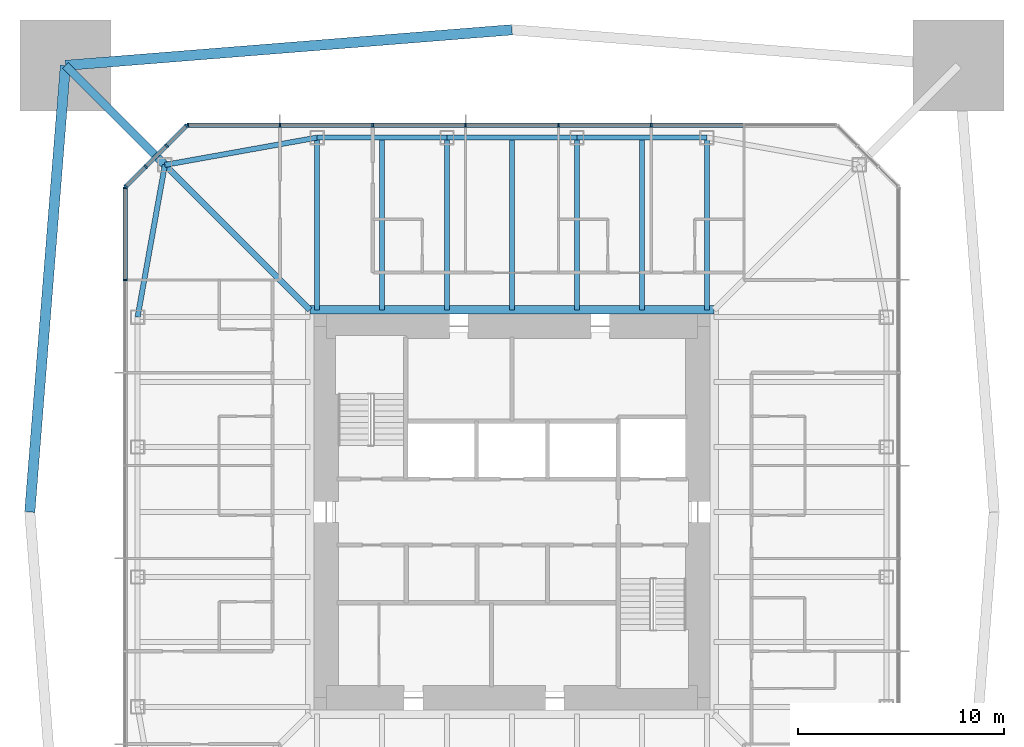
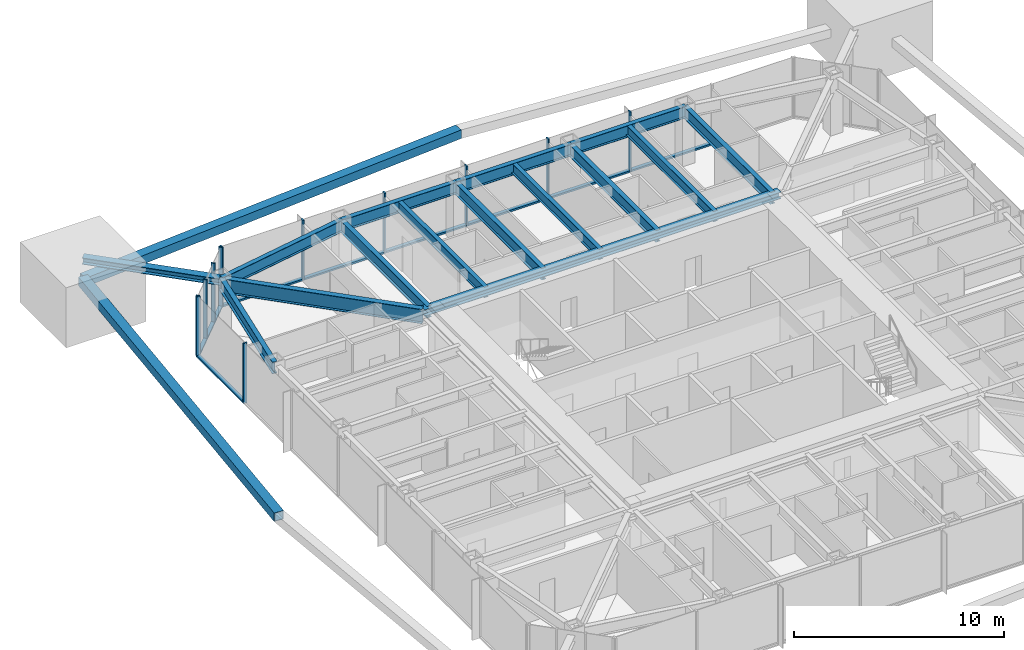
# One storey, part 5 of 13: 25 members, 14 beams, 3 elements without a shape of their own.
"""IFC4 building model written with IfcOpenShell, lengths in metres."""

import ifcopenshell
import ifcopenshell.guid

model = None  # the IFC model being written
_history = None  # IfcOwnerHistory: only IFC2X3 demands one
_inside = {}  # id of a spatial element -> (the spatial element, [elements in it])
_under = {}  # id of a project, library or spatial element -> (it, [spatial elements below it])
_declared = {}  # id of a project -> (the project, [libraries it declares])
_typed = {}  # id of a type object -> (the type object, [elements of that type])
_made_of = {}  # id of a material, layer set ... -> (it, [elements and type objects made of it])


def new_model(schema):
    """Start an empty IFC model of exactly this schema.

    Asked for "IFC4X3", IfcOpenShell would pick the latest addendum, in which some entities
    have other attributes; the version numbers below select the first issue.
    IFC2X3 requires an IfcOwnerHistory on every rooted entity: one is made here for all.
    """
    global model, _history
    if schema == "IFC4X3":
        model = ifcopenshell.file(schema_version=(4, 3, 0, 0))
    else:
        model = ifcopenshell.file(schema=schema)
    _inside.clear()
    _under.clear()
    _declared.clear()
    _typed.clear()
    _made_of.clear()
    _history = None
    if model.schema == "IFC2X3":
        org = make("IfcOrganization", Name="unknown")
        user = make(
            "IfcPersonAndOrganization",
            ThePerson=make("IfcPerson", FamilyName="unknown"),
            TheOrganization=org,
        )
        app = make(
            "IfcApplication",
            ApplicationDeveloper=org,
            Version="unknown",
            ApplicationFullName="unknown",
            ApplicationIdentifier="unknown",
        )
        _history = make(
            "IfcOwnerHistory",
            OwningUser=user,
            OwningApplication=app,
            ChangeAction="ADDED",
            CreationDate=0,
        )
    return model


def make(cls, **values):
    """One entity of the class cls with the attributes given. An attribute that is None is left unset."""
    return model.create_entity(
        cls, **{name: value for name, value in values.items() if value is not None}
    )


def rooted(cls, **values):
    """An entity with a GlobalId (a new one), such as an element, a storey or a relation."""
    return make(cls, GlobalId=ifcopenshell.guid.new(), OwnerHistory=_history, **values)


def si_unit(unit_type, name, prefix=None):
    """IfcSIUnit, for example si_unit("LENGTHUNIT", "METRE", prefix="MILLI")."""
    return make("IfcSIUnit", UnitType=unit_type, Prefix=prefix, Name=name)


def assignment(units):
    """IfcUnitAssignment: the units of a project."""
    return None if units is None else make("IfcUnitAssignment", Units=units)


def point(xyz):
    """IfcCartesianPoint."""
    return None if xyz is None else make("IfcCartesianPoint", Coordinates=xyz)


def direction(xyz):
    """IfcDirection."""
    return None if xyz is None else make("IfcDirection", DirectionRatios=xyz)


def frame(location, z_axis=None, x_axis=None):
    """IfcAxis2Placement3D, a coordinate frame: its origin and axes. An axis left out is left unset."""
    return make(
        "IfcAxis2Placement3D",
        Location=point(location),
        Axis=direction(z_axis),
        RefDirection=direction(x_axis),
    )


def frame_2d(location, x_axis=None):
    """IfcAxis2Placement2D, a coordinate frame in the plane: its origin and x axis."""
    return make(
        "IfcAxis2Placement2D", Location=point(location), RefDirection=direction(x_axis)
    )


def origin():
    """The frame at (0, 0, 0) with its axes left unset."""
    return frame((0.0, 0.0, 0.0))


def origin_2d():
    """The frame at (0, 0) in the plane with its x axis left unset."""
    return frame_2d((0.0, 0.0))


def place(relative_to, where):
    """IfcLocalPlacement: puts the frame where relative to a parent placement (None: the world)."""
    return make(
        "IfcLocalPlacement", PlacementRelTo=relative_to, RelativePlacement=where
    )


def context(
    kind, dimensions, precision=None, world=None, true_north=None, identifier=None
):
    """IfcGeometricRepresentationContext, for example the 3D "Model" context."""
    return make(
        "IfcGeometricRepresentationContext",
        ContextIdentifier=identifier,
        ContextType=kind,
        CoordinateSpaceDimension=dimensions,
        Precision=precision,
        WorldCoordinateSystem=world,
        TrueNorth=true_north,
    )


def subcontext(parent, identifier, kind, view, scale=None):
    """IfcGeometricRepresentationSubContext, for example "Body" below "Model"."""
    return make(
        "IfcGeometricRepresentationSubContext",
        ContextIdentifier=identifier,
        ContextType=kind,
        ParentContext=parent,
        TargetScale=scale,
        TargetView=view,
    )


def project(units=None, contexts=None):
    """IfcProject with its units and contexts."""
    return rooted(
        "IfcProject",
        Name="project",
        RepresentationContexts=contexts,
        UnitsInContext=assignment(units),
    )


def spatial(cls, under=None, at=None, **own):
    """A site, building, storey or space (cls), placed at a placement, below another one or the project."""
    s = rooted(cls, ObjectPlacement=at, **own)
    if under is not None:
        _under.setdefault(under.id(), (under, []))[1].append(s)
    return s


def profile(cls, at=None, kind="AREA", **sizes):
    """A parametric profile (cls). Its sizes go by their IFC names, for example OverallWidth=200.0."""
    return make(cls, ProfileType=kind, Position=at, **sizes)


def rectangle(**sizes):
    """IfcRectangleProfileDef."""
    return profile("IfcRectangleProfileDef", **sizes)


def hollow_rectangle(**sizes):
    """IfcRectangleHollowProfileDef."""
    return profile("IfcRectangleHollowProfileDef", **sizes)


def i_section(**sizes):
    """IfcIShapeProfileDef."""
    return profile("IfcIShapeProfileDef", **sizes)


def extrude(swept, where, along, depth):
    """IfcExtrudedAreaSolid: the profile swept, set in the frame where, extruded along a direction by depth."""
    return make(
        "IfcExtrudedAreaSolid",
        SweptArea=swept,
        Position=where,
        ExtrudedDirection=direction(along),
        Depth=depth,
    )


def shape(context_of_items, identifier, shape_type, items):
    """IfcShapeRepresentation: the items that make up one representation, for example the "Body"."""
    return make(
        "IfcShapeRepresentation",
        ContextOfItems=context_of_items,
        RepresentationIdentifier=identifier,
        RepresentationType=shape_type,
        Items=items,
    )


def material(Name=None, Category=None):
    """IfcMaterial."""
    return make("IfcMaterial", Name=Name, Category=Category)


def material_profile(
    of_material, cross_section, Name=None, Category=None, Priority=None
):
    """IfcMaterialProfile: a cross section and its material."""
    return make(
        "IfcMaterialProfile",
        Name=Name,
        Material=of_material,
        Profile=cross_section,
        Priority=Priority,
        Category=Category,
    )


def profile_set(profiles, Name=None, composite=None):
    """IfcMaterialProfileSet."""
    return make(
        "IfcMaterialProfileSet",
        Name=Name,
        MaterialProfiles=profiles,
        CompositeProfile=composite,
    )


def made_of(thing, what):
    """Note that an element or type object is made of a material, layer set ...; save() writes the relation."""
    if what is not None:
        _made_of.setdefault(what.id(), (what, []))[1].append(thing)
    return thing


def type_object(cls, material=None, **own):
    """A type object (cls), such as IfcWallType, which elements share."""
    return made_of(rooted(cls, **own), material)


def element(
    cls,
    number,
    at=None,
    inside=None,
    cuts=None,
    type_object=None,
    material=None,
    context=None,
    identifier="Body",
    shape_type=None,
    held_by="IfcProductDefinitionShape",
    body=None,
    shapes=None,
    **own,
):
    """One element of the class cls, such as IfcWall. Its Tag is "e" and its number.

    at: its placement. inside: the storey or other place that contains it. cuts: it is an
    opening in that element (IfcRelVoidsElement). A single representation is given by context,
    identifier, shape_type and body (its items); several are given by shapes. held_by: the class
    of the entity that holds the representations. save() writes the other relations.
    """
    e = rooted(cls, Tag="e%d" % number, ObjectPlacement=at, **own)
    if body is not None:
        shapes = [shape(context, identifier, shape_type, body)]
    if shapes is not None:
        e.Representation = make(held_by, Representations=shapes)
    if inside is not None:
        _inside.setdefault(inside.id(), (inside, []))[1].append(e)
    if cuts is not None:
        rooted(
            "IfcRelVoidsElement", RelatingBuildingElement=cuts, RelatedOpeningElement=e
        )
    if type_object is not None:
        _typed.setdefault(type_object.id(), (type_object, []))[1].append(e)
    return made_of(e, material)


def aggregate(whole, parts):
    """IfcRelAggregates: a whole, such as a stair, and the parts it consists of."""
    return rooted("IfcRelAggregates", RelatingObject=whole, RelatedObjects=parts)


def save(model, path):
    """Write the relations noted so far, then the file.

    IfcRelAggregates (storeys below a building ...), IfcRelContainedInSpatialStructure (elements
    in a storey), IfcRelDefinesByType, IfcRelAssociatesMaterial and IfcRelDeclares: one each for
    every whole, place, type object, material and project.
    """
    for whole, parts in _under.values():
        aggregate(whole, parts)
    for where, things in _inside.values():
        rooted(
            "IfcRelContainedInSpatialStructure",
            RelatedElements=things,
            RelatingStructure=where,
        )
    for kind, things in _typed.values():
        rooted("IfcRelDefinesByType", RelatedObjects=things, RelatingType=kind)
    for what, things in _made_of.values():
        rooted("IfcRelAssociatesMaterial", RelatedObjects=things, RelatingMaterial=what)
    for by, libraries in _declared.values():
        rooted("IfcRelDeclares", RelatingContext=by, RelatedDefinitions=libraries)
    model.write(path)


model = new_model("IFC4")

# Units and contexts
model_context = context("Model", 3, precision=1e-05, world=origin(), true_north=direction((0.0, 1.0)))
body_context = subcontext(model_context, "Body", "Model", "MODEL_VIEW")
ifc_project = project(units=[si_unit("LENGTHUNIT", "METRE"), si_unit("AREAUNIT", "SQUARE_METRE"), si_unit("VOLUMEUNIT", "CUBIC_METRE"), si_unit("PLANEANGLEUNIT", "RADIAN"), si_unit("MASSUNIT", "GRAM", prefix="KILO")], contexts=[model_context])

# Site, building, storey
site_placement = place(None, origin())
site = spatial("IfcSite", under=ifc_project, at=site_placement, CompositionType="ELEMENT")
building_placement = place(site_placement, origin())
building = spatial("IfcBuilding", under=site, at=building_placement, Name="Iwan Alto Co-Living Towers", CompositionType="ELEMENT")
storey_placement = place(building_placement, frame((0.0, 0.0, 160.0)))
storey = spatial("IfcBuildingStorey", under=building, at=storey_placement, Name="L43", CompositionType="ELEMENT", Elevation=160.0)

# Curtain wall, members
ifc_material_1 = material(Name="Bronze aluminium unitised frame", Category="aluminium")
curtain_wall_type_1 = type_object("IfcCurtainWallType", Name="CURTAIN WALL CW-A", PredefinedType="NOTDEFINED", material=ifc_material_1)
curtain_wall_1_placement = place(storey_placement, origin())
curtain_wall_1 = element("IfcCurtainWall", 1, at=curtain_wall_1_placement, inside=storey, type_object=curtain_wall_type_1, Name="T1 curtain wall N L43", PredefinedType="NOTDEFINED")
ifc_material_2 = material(Name="Aluminium 6063-T6 bronze anodised", Category="aluminium")
ifc_material_profile_1 = material_profile(ifc_material_2, rectangle(XDim=0.199951171875, YDim=0.080078125, at=origin_2d()), Name="AL 80X200")
ifc_profile_set_1 = profile_set([ifc_material_profile_1], Name="Aluminium 6063-T6 bronze anodised")
member_type_1 = type_object("IfcMemberType", Name="CW-A MULLION 80X200", PredefinedType="MULLION", material=ifc_profile_set_1)
member_1_placement = place(storey_placement, frame((6.75, 18.75, 0.0), z_axis=(0.0, 0.0, 1.0), x_axis=(0.0, -1.0, 0.0)))
member_1 = element("IfcMember", 2, at=member_1_placement, type_object=member_type_1, Name="CW-A mullion 3", PredefinedType="MULLION", context=body_context, shape_type="SweptSolid", body=[
    extrude(rectangle(XDim=0.199951171875, YDim=0.080078125, at=origin_2d()), origin(), (0.0, 0.0, 1.0), 3.5),
])
member_2_placement = place(storey_placement, frame((2.25, 18.75, 0.0), z_axis=(0.0, 0.0, 1.0), x_axis=(0.0, -1.0, 0.0)))
member_2 = element("IfcMember", 3, at=member_2_placement, type_object=member_type_1, Name="CW-A mullion 4", PredefinedType="MULLION", context=body_context, shape_type="SweptSolid", body=[
    extrude(rectangle(XDim=0.199951171875, YDim=0.080078125, at=origin_2d()), origin(), (0.0, 0.0, 1.0), 3.5),
])
member_3_placement = place(storey_placement, frame((-2.25, 18.75, 0.0), z_axis=(0.0, 0.0, 1.0), x_axis=(0.0, -1.0, 0.0)))
member_3 = element("IfcMember", 4, at=member_3_placement, type_object=member_type_1, Name="CW-A mullion 5", PredefinedType="MULLION", context=body_context, shape_type="SweptSolid", body=[
    extrude(rectangle(XDim=0.199951171875, YDim=0.080078125, at=origin_2d()), origin(), (0.0, 0.0, 1.0), 3.5),
])
member_4_placement = place(storey_placement, frame((-6.75, 18.75, 0.0), z_axis=(0.0, 0.0, 1.0), x_axis=(0.0, -1.0, 0.0)))
member_4 = element("IfcMember", 5, at=member_4_placement, type_object=member_type_1, Name="CW-A mullion 6", PredefinedType="MULLION", context=body_context, shape_type="SweptSolid", body=[
    extrude(rectangle(XDim=0.199951171875, YDim=0.080078125, at=origin_2d()), origin(), (0.0, 0.0, 1.0), 3.5),
])
member_5_placement = place(storey_placement, frame((-11.25, 18.75, 0.0), z_axis=(0.0, 0.0, 1.0), x_axis=(0.0, -1.0, 0.0)))
member_5 = element("IfcMember", 6, at=member_5_placement, type_object=member_type_1, Name="CW-A mullion 7", PredefinedType="MULLION", context=body_context, shape_type="SweptSolid", body=[
    extrude(rectangle(XDim=0.199951171875, YDim=0.080078125, at=origin_2d()), origin(), (0.0, 0.0, 1.0), 3.5),
])
member_6_placement = place(storey_placement, frame((-15.7099609375, 18.75, 0.0), z_axis=(0.0, 0.0, 1.0), x_axis=(0.0, -1.0, 0.0)))
member_6 = element("IfcMember", 7, at=member_6_placement, type_object=member_type_1, Name="CW-A mullion 8", PredefinedType="MULLION", context=body_context, shape_type="SweptSolid", body=[
    extrude(rectangle(XDim=0.199951171875, YDim=0.080078125, at=origin_2d()), origin(), (0.0, 0.0, 1.0), 3.5),
])

curtain_wall_2_placement = place(storey_placement, origin())
curtain_wall_2 = element("IfcCurtainWall", 8, at=curtain_wall_2_placement, inside=storey, type_object=curtain_wall_type_1, Name="T1 curtain wall W L43", PredefinedType="NOTDEFINED")
member_7_placement = place(storey_placement, frame((-18.75, 15.7099609375, 0.0), z_axis=(0.0, 0.0, 1.0), x_axis=(1.0, 0.0, 0.0)))
member_7 = element("IfcMember", 9, at=member_7_placement, type_object=member_type_1, Name="CW-A mullion 1", PredefinedType="MULLION", context=body_context, shape_type="SweptSolid", body=[
    extrude(rectangle(XDim=0.199951171875, YDim=0.080078125, at=origin_2d()), origin(), (0.0, 0.0, 1.0), 3.5),
])
member_8_placement = place(storey_placement, frame((-18.75, 11.25, 0.0), z_axis=(0.0, 0.0, 1.0), x_axis=(1.0, 0.0, 0.0)))
member_8 = element("IfcMember", 10, at=member_8_placement, type_object=member_type_1, Name="CW-A mullion 2", PredefinedType="MULLION", context=body_context, shape_type="SweptSolid", body=[
    extrude(rectangle(XDim=0.199951171875, YDim=0.080078125, at=origin_2d()), origin(), (0.0, 0.0, 1.0), 3.5),
])

# Member
ifc_material_3 = material(Name="Aluminium 6063-T6 bronze anodised", Category="aluminium")
ifc_material_profile_2 = material_profile(ifc_material_3, rectangle(XDim=0.199951171875, YDim=0.10009765625, at=origin_2d()), Name="AL 200X100")
ifc_profile_set_2 = profile_set([ifc_material_profile_2], Name="Aluminium 6063-T6 bronze anodised")
member_type_2 = type_object("IfcMemberType", Name="CW-A TRANSOM 200X100", PredefinedType="USERDEFINED", material=ifc_profile_set_2)
member_9_placement = place(storey_placement, frame((11.2099609375, 18.75, 0.050048828125), z_axis=(-1.0, 0.0, 0.0), x_axis=(0.0, -1.0, 0.0)))
member_9 = element("IfcMember", 11, at=member_9_placement, type_object=member_type_2, Name="CW-A transom 2.1", ObjectType="TRANSOM", PredefinedType="USERDEFINED", context=body_context, shape_type="SweptSolid", body=[
    extrude(rectangle(XDim=0.199951171875, YDim=0.10009765625, at=origin_2d()), origin(), (0.0, 0.0, 1.0), 4.419921875),
])

member_10_placement = place(storey_placement, frame((6.7099609375, 18.75, 0.050048828125), z_axis=(-1.0, 0.0, 0.0), x_axis=(0.0, -1.0, 0.0)))
member_10 = element("IfcMember", 12, at=member_10_placement, type_object=member_type_2, Name="CW-A transom 3.1", ObjectType="TRANSOM", PredefinedType="USERDEFINED", context=body_context, shape_type="SweptSolid", body=[
    extrude(rectangle(XDim=0.199951171875, YDim=0.10009765625, at=origin_2d()), origin(), (0.0, 0.0, 1.0), 4.419921875),
])

member_11_placement = place(storey_placement, frame((2.2099609375, 18.75, 0.050048828125), z_axis=(-1.0, 0.0, 0.0), x_axis=(0.0, -1.0, 0.0)))
member_11 = element("IfcMember", 13, at=member_11_placement, type_object=member_type_2, Name="CW-A transom 4.1", ObjectType="TRANSOM", PredefinedType="USERDEFINED", context=body_context, shape_type="SweptSolid", body=[
    extrude(rectangle(XDim=0.199951171875, YDim=0.10009765625, at=origin_2d()), origin(), (0.0, 0.0, 1.0), 4.419921875),
])

member_12_placement = place(storey_placement, frame((-2.2900390625, 18.75, 0.050048828125), z_axis=(-1.0, 0.0, 0.0), x_axis=(0.0, -1.0, 0.0)))
member_12 = element("IfcMember", 14, at=member_12_placement, type_object=member_type_2, Name="CW-A transom 5.1", ObjectType="TRANSOM", PredefinedType="USERDEFINED", context=body_context, shape_type="SweptSolid", body=[
    extrude(rectangle(XDim=0.199951171875, YDim=0.10009765625, at=origin_2d()), origin(), (0.0, 0.0, 1.0), 4.419921875),
])

member_13_placement = place(storey_placement, frame((-6.7900390625, 18.75, 0.050048828125), z_axis=(-1.0, 0.0, 0.0), x_axis=(0.0, -1.0, 0.0)))
member_13 = element("IfcMember", 15, at=member_13_placement, type_object=member_type_2, Name="CW-A transom 6.1", ObjectType="TRANSOM", PredefinedType="USERDEFINED", context=body_context, shape_type="SweptSolid", body=[
    extrude(rectangle(XDim=0.199951171875, YDim=0.10009765625, at=origin_2d()), origin(), (0.0, 0.0, 1.0), 4.419921875),
])

member_14_placement = place(storey_placement, frame((-11.2900390625, 18.75, 0.050048828125), z_axis=(-1.0, 0.0, 0.0), x_axis=(0.0, -1.0, 0.0)))
member_14 = element("IfcMember", 16, at=member_14_placement, type_object=member_type_2, Name="CW-A transom 7.1", ObjectType="TRANSOM", PredefinedType="USERDEFINED", context=body_context, shape_type="SweptSolid", body=[
    extrude(rectangle(XDim=0.199951171875, YDim=0.10009765625, at=origin_2d()), origin(), (0.0, 0.0, 1.0), 4.3798828125),
])

aggregate(curtain_wall_1, [member_1, member_2, member_3, member_4, member_5, member_6, member_9, member_10, member_11, member_12, member_13, member_14])

member_15_placement = place(storey_placement, frame((-18.75, 15.669921875, 0.050048828125), z_axis=(0.0, -1.0, 0.0), x_axis=(1.0, 0.0, 0.0)))
member_15 = element("IfcMember", 17, at=member_15_placement, type_object=member_type_2, Name="CW-A transom 1.1", ObjectType="TRANSOM", PredefinedType="USERDEFINED", context=body_context, shape_type="SweptSolid", body=[
    extrude(rectangle(XDim=0.199951171875, YDim=0.10009765625, at=origin_2d()), origin(), (0.0, 0.0, 1.0), 4.3798828125),
])

aggregate(curtain_wall_2, [member_7, member_8, member_15])

# Curtain wall, members
ifc_material_4 = material(Name="Bronze aluminium unitised frame", Category="aluminium")
curtain_wall_type_2 = type_object("IfcCurtainWallType", Name="CURTAIN WALL CW-B", PredefinedType="NOTDEFINED", material=ifc_material_4)
curtain_wall_3_placement = place(storey_placement, origin())
curtain_wall_3 = element("IfcCurtainWall", 18, at=curtain_wall_3_placement, inside=storey, type_object=curtain_wall_type_2, Name="T1 chamfer curtain wall NW L43", PredefinedType="NOTDEFINED")
ifc_material_5 = material(Name="Aluminium 6063-T6 bronze anodised", Category="aluminium")
ifc_material_profile_3 = material_profile(ifc_material_5, rectangle(XDim=0.199951171875, YDim=0.080078125, at=origin_2d()), Name="AL 80X200")
ifc_profile_set_3 = profile_set([ifc_material_profile_3], Name="Aluminium 6063-T6 bronze anodised")
member_type_3 = type_object("IfcMemberType", Name="CW-B MULLION 80X200", PredefinedType="MULLION", material=ifc_profile_set_3)
member_16_placement = place(storey_placement, frame((-15.7783203125, 18.7216796875, 0.0), z_axis=(0.0, 0.0, 1.0), x_axis=(0.707106781187, -0.707106781187, 0.0)))
member_16 = element("IfcMember", 19, at=member_16_placement, type_object=member_type_3, Name="CW-B mullion 1", PredefinedType="MULLION", context=body_context, shape_type="SweptSolid", body=[
    extrude(rectangle(XDim=0.199951171875, YDim=0.080078125, at=origin_2d()), origin(), (0.0, 0.0, 1.0), 3.5),
])
member_17_placement = place(storey_placement, frame((-16.75, 17.75, 0.0), z_axis=(0.0, 0.0, 1.0), x_axis=(0.707106781187, -0.707106781187, 0.0)))
member_17 = element("IfcMember", 20, at=member_17_placement, type_object=member_type_3, Name="CW-B mullion 2", PredefinedType="MULLION", context=body_context, shape_type="SweptSolid", body=[
    extrude(rectangle(XDim=0.199951171875, YDim=0.080078125, at=origin_2d()), origin(), (0.0, 0.0, 1.0), 3.5),
])
member_18_placement = place(storey_placement, frame((-17.75, 16.75, 0.0), z_axis=(0.0, 0.0, 1.0), x_axis=(0.707106781187, -0.707106781187, 0.0)))
member_18 = element("IfcMember", 21, at=member_18_placement, type_object=member_type_3, Name="CW-B mullion 3", PredefinedType="MULLION", context=body_context, shape_type="SweptSolid", body=[
    extrude(rectangle(XDim=0.199951171875, YDim=0.080078125, at=origin_2d()), origin(), (0.0, 0.0, 1.0), 3.5),
])
member_19_placement = place(storey_placement, frame((-18.7216796875, 15.7783203125, 0.0), z_axis=(0.0, 0.0, 1.0), x_axis=(0.707106781187, -0.707106781187, 0.0)))
member_19 = element("IfcMember", 22, at=member_19_placement, type_object=member_type_3, Name="CW-B mullion 4", PredefinedType="MULLION", context=body_context, shape_type="SweptSolid", body=[
    extrude(rectangle(XDim=0.199951171875, YDim=0.080078125, at=origin_2d()), origin(), (0.0, 0.0, 1.0), 3.5),
])
ifc_material_6 = material(Name="Aluminium 6063-T6 bronze anodised", Category="aluminium")
ifc_material_profile_4 = material_profile(ifc_material_6, rectangle(XDim=0.199951171875, YDim=0.10009765625, at=origin_2d()), Name="AL 200X100")
ifc_profile_set_4 = profile_set([ifc_material_profile_4], Name="Aluminium 6063-T6 bronze anodised")
member_type_4 = type_object("IfcMemberType", Name="CW-B TRANSOM 200X100", PredefinedType="USERDEFINED", material=ifc_profile_set_4)
member_20_placement = place(storey_placement, frame((-15.806640625, 18.693359375, 0.050048828125), z_axis=(-0.707106781187, -0.707106781187, 0.0), x_axis=(0.707106781187, -0.707106781187, 0.0)))
member_20 = element("IfcMember", 23, at=member_20_placement, type_object=member_type_4, Name="CW-B transom 1.1", ObjectType="TRANSOM", PredefinedType="USERDEFINED", context=body_context, shape_type="SweptSolid", body=[
    extrude(rectangle(XDim=0.199951171875, YDim=0.10009765625, at=origin_2d()), origin(), (0.0, 0.0, 1.0), 1.2939453125),
])
member_21_placement = place(storey_placement, frame((-16.7783203125, 17.7216796875, 0.050048828125), z_axis=(-0.707106781187, -0.707106781187, 0.0), x_axis=(0.707106781187, -0.707106781187, 0.0)))
member_21 = element("IfcMember", 24, at=member_21_placement, type_object=member_type_4, Name="CW-B transom 2.1", ObjectType="TRANSOM", PredefinedType="USERDEFINED", context=body_context, shape_type="SweptSolid", body=[
    extrude(rectangle(XDim=0.199951171875, YDim=0.10009765625, at=origin_2d()), origin(), (0.0, 0.0, 1.0), 1.334228515625),
])
member_22_placement = place(storey_placement, frame((-17.7783203125, 16.7216796875, 0.050048828125), z_axis=(-0.707106781187, -0.707106781187, 0.0), x_axis=(0.707106781187, -0.707106781187, 0.0)))
member_22 = element("IfcMember", 25, at=member_22_placement, type_object=member_type_4, Name="CW-B transom 3.1", ObjectType="TRANSOM", PredefinedType="USERDEFINED", context=body_context, shape_type="SweptSolid", body=[
    extrude(rectangle(XDim=0.199951171875, YDim=0.10009765625, at=origin_2d()), origin(), (0.0, 0.0, 1.0), 1.2939453125),
])
aggregate(curtain_wall_3, [member_16, member_17, member_18, member_19, member_20, member_21, member_22])

# Beams
ifc_material_7 = material(Name="Steel ASTM A992 Gr 50", Category="steel")
ifc_material_profile_5 = material_profile(ifc_material_7, i_section(OverallWidth=0.398681640625, OverallDepth=0.385986328125, WebThickness=0.02099609375, FlangeThickness=0.033203125, at=origin_2d()), Name="W14X176")
ifc_profile_set_5 = profile_set([ifc_material_profile_5], Name="Steel ASTM A992 Gr 50")
beam_type_1 = type_object("IfcBeamType", Name="T1 CORE LEDGER BEAM W14X176", PredefinedType="BEAM", material=ifc_profile_set_5)
beam_1_placement = place(storey_placement, frame((9.79931640625, 9.79931640625, 3.076904296875), z_axis=(-1.0, 0.0, 0.0), x_axis=(0.0, -1.0, 0.0)))
element("IfcBeam", 26, at=beam_1_placement, inside=storey, type_object=beam_type_1, Name="T1 core ledger beam N L44", PredefinedType="BEAM", context=body_context, shape_type="SweptSolid", body=[
    extrude(i_section(OverallWidth=0.398681640625, OverallDepth=0.385986328125, WebThickness=0.02099609375, FlangeThickness=0.033203125, at=origin_2d()), origin(), (0.0, 0.0, 1.0), 19.5986328125),
])
ifc_material_8 = material(Name="Steel ASTM A992 Gr 50", Category="steel")
ifc_material_profile_6 = material_profile(ifc_material_8, i_section(OverallWidth=0.2919921875, OverallDepth=0.8408203125, WebThickness=0.0146484375, FlangeThickness=0.021728515625, at=origin_2d()), Name="W33X130")
ifc_profile_set_6 = profile_set([ifc_material_profile_6], Name="Steel ASTM A992 Gr 50")
beam_type_2 = type_object("IfcBeamType", Name="T1 CORNER GIRDER W33X130", PredefinedType="BEAM", material=ifc_profile_set_6)
beam_2_placement = place(storey_placement, frame((-16.82568359375, 16.82568359375, 2.849609375), z_axis=(0.707106781187, -0.707106781187, 0.0), x_axis=(0.707106781187, 0.707106781187, 0.0)))
element("IfcBeam", 27, at=beam_2_placement, inside=storey, type_object=beam_type_2, Name="T1 corner girder CNW L44", PredefinedType="BEAM", context=body_context, shape_type="SweptSolid", body=[
    extrude(i_section(OverallWidth=0.2919921875, OverallDepth=0.8408203125, WebThickness=0.0146484375, FlangeThickness=0.021728515625, at=origin_2d()), origin(), (0.0, 0.0, 1.0), 9.936767578125),
])
ifc_material_9 = material(Name="Steel ASTM A992 Gr 50", Category="steel")
ifc_material_profile_7 = material_profile(ifc_material_9, i_section(OverallWidth=0.25390625, OverallDepth=0.683349609375, WebThickness=0.012451171875, FlangeThickness=0.018798828125, at=origin_2d()), Name="W27X94")
ifc_profile_set_7 = profile_set([ifc_material_profile_7], Name="Steel ASTM A992 Gr 50")
beam_type_3 = type_object("IfcBeamType", Name="T1 EDGE BEAM W27X94", PredefinedType="BEAM", material=ifc_profile_set_7)
beam_3_placement = place(storey_placement, frame((9.449951171875, 18.14990234375, 2.928466796875), z_axis=(-1.0, 0.0, 0.0), x_axis=(0.0, -1.0, 0.0)))
element("IfcBeam", 28, at=beam_3_placement, inside=storey, type_object=beam_type_3, Name="T1 edge beam N1 L44", PredefinedType="BEAM", context=body_context, shape_type="SweptSolid", body=[
    extrude(i_section(OverallWidth=0.25390625, OverallDepth=0.683349609375, WebThickness=0.012451171875, FlangeThickness=0.018798828125, at=origin_2d()), origin(), (0.0, 0.0, 1.0), 6.300048828125),
])
beam_4_placement = place(storey_placement, frame((3.14990234375, 18.14990234375, 2.928466796875), z_axis=(-1.0, 0.0, 0.0), x_axis=(0.0, -1.0, 0.0)))
element("IfcBeam", 29, at=beam_4_placement, inside=storey, type_object=beam_type_3, Name="T1 edge beam N2 L44", PredefinedType="BEAM", context=body_context, shape_type="SweptSolid", body=[
    extrude(i_section(OverallWidth=0.25390625, OverallDepth=0.683349609375, WebThickness=0.012451171875, FlangeThickness=0.018798828125, at=origin_2d()), origin(), (0.0, 0.0, 1.0), 6.2998046875),
])
beam_5_placement = place(storey_placement, frame((-3.14990234375, 18.14990234375, 2.928466796875), z_axis=(-1.0, 0.0, 0.0), x_axis=(0.0, -1.0, 0.0)))
element("IfcBeam", 30, at=beam_5_placement, inside=storey, type_object=beam_type_3, Name="T1 edge beam N3 L44", PredefinedType="BEAM", context=body_context, shape_type="SweptSolid", body=[
    extrude(i_section(OverallWidth=0.25390625, OverallDepth=0.683349609375, WebThickness=0.012451171875, FlangeThickness=0.018798828125, at=origin_2d()), origin(), (0.0, 0.0, 1.0), 6.300048828125),
])
for number, where, z_axis, x_axis, name in (
    (31, (-9.449951171875, 18.14990234375, 2.928466796875), (-0.98426263553, -0.17671181143, 0.0), (0.17671181143, -0.98426263553, 0.0), "T1 edge beam N4 L44"),
    (32, (-16.82568359375, 16.82568359375, 2.928466796875), (-0.17671181143, -0.98426263553, 0.0), (0.98426263553, -0.17671181143, 0.0), "T1 edge beam CNW L44"),
):
    element("IfcBeam", number, at=place(storey_placement, frame(where, z_axis=z_axis, x_axis=x_axis)), inside=storey, type_object=beam_type_3, Name=name, PredefinedType="BEAM", context=body_context, shape_type="SweptSolid", body=[
        extrude(i_section(OverallWidth=0.25390625, OverallDepth=0.683349609375, WebThickness=0.012451171875, FlangeThickness=0.018798828125, at=origin_2d()), origin(), (0.0, 0.0, 1.0), 7.49365234375),
    ])

# Members
ifc_material_10 = material(Name="Steel ASTM A992 Gr 50", Category="steel")
ifc_material_profile_8 = material_profile(ifc_material_10, i_section(OverallWidth=0.393798828125, OverallDepth=0.3759765625, WebThickness=0.017333984375, FlangeThickness=0.027587890625, at=origin_2d()), Name="W14X145")
ifc_profile_set_8 = profile_set([ifc_material_profile_8], Name="Steel ASTM A992 Gr 50")
member_type_5 = type_object("IfcMemberType", Name="T1 MEGA COLUMN FLOOR TIE W14X145", PredefinedType="STRUT", material=ifc_profile_set_8)
member_23_placement = place(storey_placement, frame((-21.64990234375, 21.64990234375, 3.08203125), z_axis=(0.707106781187, -0.707106781187, 0.0), x_axis=(0.707106781187, 0.707106781187, 0.0)))
element("IfcMember", 33, at=member_23_placement, inside=storey, type_object=member_type_5, Name="T1 mega column floor tie NW L44", PredefinedType="STRUT", context=body_context, shape_type="SweptSolid", body=[
    extrude(i_section(OverallWidth=0.393798828125, OverallDepth=0.3759765625, WebThickness=0.017333984375, FlangeThickness=0.027587890625, at=origin_2d()), origin(), (0.0, 0.0, 1.0), 6.822509765625),
])
ifc_material_11 = material(Name="Steel ASTM A572 Gr 50", Category="steel")
ifc_material_profile_9 = material_profile(ifc_material_11, hollow_rectangle(XDim=0.5, YDim=0.5, WallThickness=0.031982421875, at=origin_2d()), Name="BOX 500X500X32")
ifc_profile_set_9 = profile_set([ifc_material_profile_9], Name="Steel ASTM A572 Gr 50")
member_type_6 = type_object("IfcMemberType", Name="T1 MEGA TIE BOX 500X500X32", PredefinedType="STRUT", material=ifc_profile_set_9)
for number, where, z_axis, x_axis, name in (
    (34, (0.0, 23.37548828125, 1.85498046875), (-0.996838682712, -0.07945212803, 0.0), (0.07945212803, -0.996838682712, 0.0), "T1 mega tie Z3A N 2"),
    (35, (-21.64990234375, 21.64990234375, 1.85498046875), (-0.07945212803, -0.996838682712, 0.0), (0.996838682712, -0.07945212803, 0.0), "T1 mega tie Z3A W 1"),
):
    element("IfcMember", number, at=place(storey_placement, frame(where, z_axis=z_axis, x_axis=x_axis)), inside=storey, type_object=member_type_6, Name=name, PredefinedType="STRUT", context=body_context, shape_type="SweptSolid", body=[
        extrude(hollow_rectangle(XDim=0.5, YDim=0.5, WallThickness=0.031982421875, at=origin_2d()), origin(), (0.0, 0.0, 1.0), 21.718505859375),
    ])

# Beams
ifc_material_12 = material(Name="Steel ASTM A992 Gr 50", Category="steel")
ifc_material_profile_10 = material_profile(ifc_material_12, i_section(OverallWidth=0.25390625, OverallDepth=0.683349609375, WebThickness=0.012451171875, FlangeThickness=0.018798828125, at=origin_2d()), Name="W27X94")
ifc_profile_set_10 = profile_set([ifc_material_profile_10], Name="Steel ASTM A992 Gr 50")
beam_type_4 = type_object("IfcBeamType", Name="T1 RADIAL BEAM W27X94", PredefinedType="BEAM", material=ifc_profile_set_10)
for number, where, z_axis, x_axis, name in (
    (36, (9.449951171875, 18.14990234375, 2.928466796875), (0.0, -1.0, 0.0), (1.0, 0.0, 0.0), "T1 radial beam N1 L44"),
    (37, (3.14990234375, 18.14990234375, 2.928466796875), (0.0, -1.0, 0.0), (1.0, 0.0, 0.0), "T1 radial beam N2 L44"),
    (38, (-3.14990234375, 18.14990234375, 2.928466796875), (0.0, -1.0, 0.0), (1.0, 0.0, 0.0), "T1 radial beam N3 L44"),
    (39, (-9.449951171875, 18.14990234375, 2.928466796875), (0.0, -1.0, 0.0), (1.0, 0.0, 0.0), "T1 radial beam N4 L44"),
):
    element("IfcBeam", number, at=place(storey_placement, frame(where, z_axis=z_axis, x_axis=x_axis)), inside=storey, type_object=beam_type_4, Name=name, PredefinedType="BEAM", context=body_context, shape_type="SweptSolid", body=[
        extrude(i_section(OverallWidth=0.25390625, OverallDepth=0.683349609375, WebThickness=0.012451171875, FlangeThickness=0.018798828125, at=origin_2d()), origin(), (0.0, 0.0, 1.0), 8.3505859375),
    ])
ifc_material_13 = material(Name="Steel ASTM A992 Gr 50", Category="steel")
ifc_material_profile_11 = material_profile(ifc_material_13, i_section(OverallWidth=0.228271484375, OverallDepth=0.607177734375, WebThickness=0.01123046875, FlangeThickness=0.017333984375, at=origin_2d()), Name="W24X76")
ifc_profile_set_11 = profile_set([ifc_material_profile_11], Name="Steel ASTM A992 Gr 50")
beam_type_5 = type_object("IfcBeamType", Name="T1 SECONDARY BEAM W24X76", PredefinedType="JOIST", material=ifc_profile_set_11)
for number, where, z_axis, x_axis, name in (
    (40, (6.300048828125, 18.14990234375, 2.966552734375), (0.0, -1.0, 0.0), (1.0, 0.0, 0.0), "T1 secondary beam N1 L44"),
    (41, (0.0, 18.14990234375, 2.966552734375), (0.0, -1.0, 0.0), (1.0, 0.0, 0.0), "T1 secondary beam N2 L44"),
    (42, (-6.300048828125, 18.14990234375, 2.966552734375), (0.0, -1.0, 0.0), (1.0, 0.0, 0.0), "T1 secondary beam N3 L44"),
):
    element("IfcBeam", number, at=place(storey_placement, frame(where, z_axis=z_axis, x_axis=x_axis)), inside=storey, type_object=beam_type_5, Name=name, PredefinedType="JOIST", context=body_context, shape_type="SweptSolid", body=[
        extrude(i_section(OverallWidth=0.228271484375, OverallDepth=0.607177734375, WebThickness=0.01123046875, FlangeThickness=0.017333984375, at=origin_2d()), origin(), (0.0, 0.0, 1.0), 8.3505859375),
    ])

save(model, "model.ifc")
